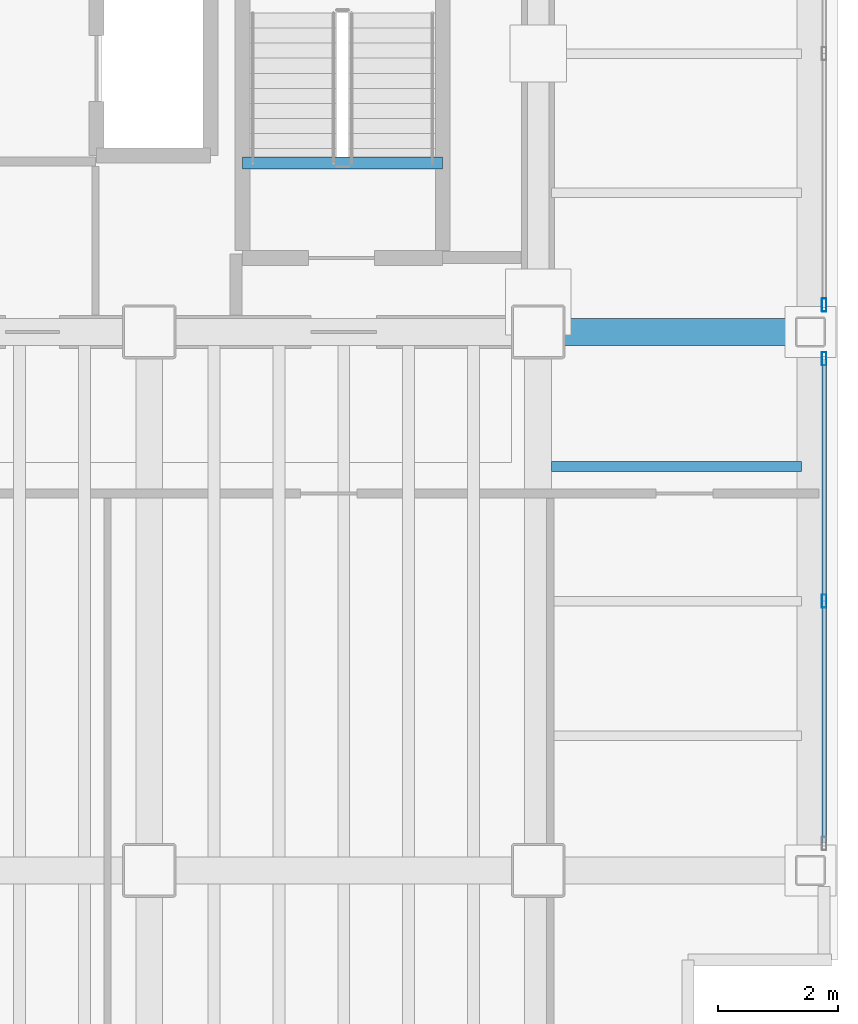
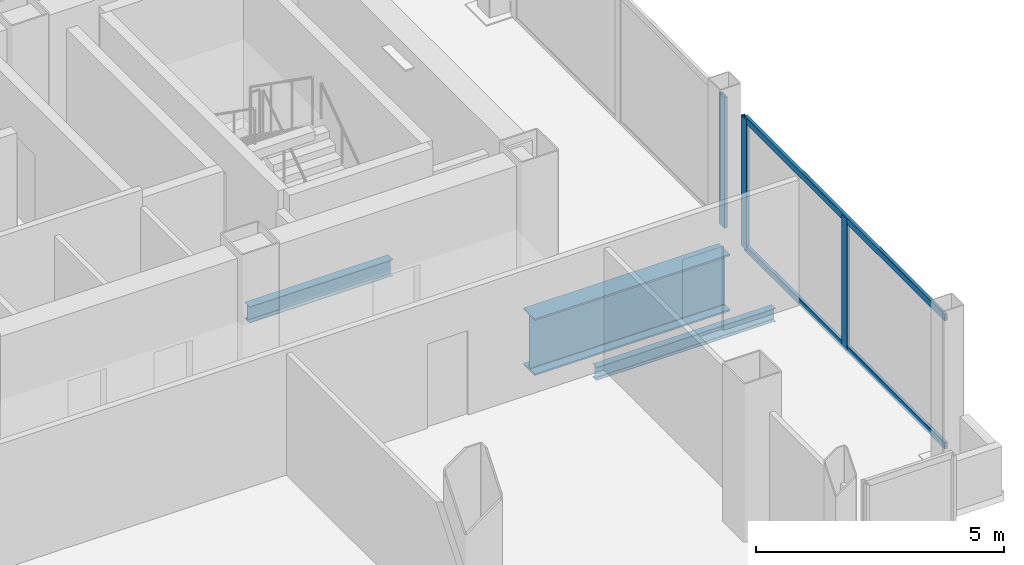
# One storey, part 16 of 24: 5 members, 3 beams, 2 elements without a shape of their own.
"""IFC4 building model written with IfcOpenShell, lengths in metres."""

import ifcopenshell
import ifcopenshell.guid

model = None  # the IFC model being written
_history = None  # IfcOwnerHistory: only IFC2X3 demands one
_inside = {}  # id of a spatial element -> (the spatial element, [elements in it])
_under = {}  # id of a project, library or spatial element -> (it, [spatial elements below it])
_declared = {}  # id of a project -> (the project, [libraries it declares])
_typed = {}  # id of a type object -> (the type object, [elements of that type])
_made_of = {}  # id of a material, layer set ... -> (it, [elements and type objects made of it])


def new_model(schema):
    """Start an empty IFC model of exactly this schema.

    Asked for "IFC4X3", IfcOpenShell would pick the latest addendum, in which some entities
    have other attributes; the version numbers below select the first issue.
    IFC2X3 requires an IfcOwnerHistory on every rooted entity: one is made here for all.
    """
    global model, _history
    if schema == "IFC4X3":
        model = ifcopenshell.file(schema_version=(4, 3, 0, 0))
    else:
        model = ifcopenshell.file(schema=schema)
    _inside.clear()
    _under.clear()
    _declared.clear()
    _typed.clear()
    _made_of.clear()
    _history = None
    if model.schema == "IFC2X3":
        org = make("IfcOrganization", Name="unknown")
        user = make(
            "IfcPersonAndOrganization",
            ThePerson=make("IfcPerson", FamilyName="unknown"),
            TheOrganization=org,
        )
        app = make(
            "IfcApplication",
            ApplicationDeveloper=org,
            Version="unknown",
            ApplicationFullName="unknown",
            ApplicationIdentifier="unknown",
        )
        _history = make(
            "IfcOwnerHistory",
            OwningUser=user,
            OwningApplication=app,
            ChangeAction="ADDED",
            CreationDate=0,
        )
    return model


def make(cls, **values):
    """One entity of the class cls with the attributes given. An attribute that is None is left unset."""
    return model.create_entity(
        cls, **{name: value for name, value in values.items() if value is not None}
    )


def rooted(cls, **values):
    """An entity with a GlobalId (a new one), such as an element, a storey or a relation."""
    return make(cls, GlobalId=ifcopenshell.guid.new(), OwnerHistory=_history, **values)


def si_unit(unit_type, name, prefix=None):
    """IfcSIUnit, for example si_unit("LENGTHUNIT", "METRE", prefix="MILLI")."""
    return make("IfcSIUnit", UnitType=unit_type, Prefix=prefix, Name=name)


def assignment(units):
    """IfcUnitAssignment: the units of a project."""
    return None if units is None else make("IfcUnitAssignment", Units=units)


def point(xyz):
    """IfcCartesianPoint."""
    return None if xyz is None else make("IfcCartesianPoint", Coordinates=xyz)


def direction(xyz):
    """IfcDirection."""
    return None if xyz is None else make("IfcDirection", DirectionRatios=xyz)


def frame(location, z_axis=None, x_axis=None):
    """IfcAxis2Placement3D, a coordinate frame: its origin and axes. An axis left out is left unset."""
    return make(
        "IfcAxis2Placement3D",
        Location=point(location),
        Axis=direction(z_axis),
        RefDirection=direction(x_axis),
    )


def frame_2d(location, x_axis=None):
    """IfcAxis2Placement2D, a coordinate frame in the plane: its origin and x axis."""
    return make(
        "IfcAxis2Placement2D", Location=point(location), RefDirection=direction(x_axis)
    )


def origin():
    """The frame at (0, 0, 0) with its axes left unset."""
    return frame((0.0, 0.0, 0.0))


def origin_2d():
    """The frame at (0, 0) in the plane with its x axis left unset."""
    return frame_2d((0.0, 0.0))


def place(relative_to, where):
    """IfcLocalPlacement: puts the frame where relative to a parent placement (None: the world)."""
    return make(
        "IfcLocalPlacement", PlacementRelTo=relative_to, RelativePlacement=where
    )


def context(
    kind, dimensions, precision=None, world=None, true_north=None, identifier=None
):
    """IfcGeometricRepresentationContext, for example the 3D "Model" context."""
    return make(
        "IfcGeometricRepresentationContext",
        ContextIdentifier=identifier,
        ContextType=kind,
        CoordinateSpaceDimension=dimensions,
        Precision=precision,
        WorldCoordinateSystem=world,
        TrueNorth=true_north,
    )


def subcontext(parent, identifier, kind, view, scale=None):
    """IfcGeometricRepresentationSubContext, for example "Body" below "Model"."""
    return make(
        "IfcGeometricRepresentationSubContext",
        ContextIdentifier=identifier,
        ContextType=kind,
        ParentContext=parent,
        TargetScale=scale,
        TargetView=view,
    )


def project(units=None, contexts=None):
    """IfcProject with its units and contexts."""
    return rooted(
        "IfcProject",
        Name="project",
        RepresentationContexts=contexts,
        UnitsInContext=assignment(units),
    )


def spatial(cls, under=None, at=None, **own):
    """A site, building, storey or space (cls), placed at a placement, below another one or the project."""
    s = rooted(cls, ObjectPlacement=at, **own)
    if under is not None:
        _under.setdefault(under.id(), (under, []))[1].append(s)
    return s


def profile(cls, at=None, kind="AREA", **sizes):
    """A parametric profile (cls). Its sizes go by their IFC names, for example OverallWidth=200.0."""
    return make(cls, ProfileType=kind, Position=at, **sizes)


def hollow_rectangle(**sizes):
    """IfcRectangleHollowProfileDef."""
    return profile("IfcRectangleHollowProfileDef", **sizes)


def i_section(**sizes):
    """IfcIShapeProfileDef."""
    return profile("IfcIShapeProfileDef", **sizes)


def extrude(swept, where, along, depth):
    """IfcExtrudedAreaSolid: the profile swept, set in the frame where, extruded along a direction by depth."""
    return make(
        "IfcExtrudedAreaSolid",
        SweptArea=swept,
        Position=where,
        ExtrudedDirection=direction(along),
        Depth=depth,
    )


def shape(context_of_items, identifier, shape_type, items):
    """IfcShapeRepresentation: the items that make up one representation, for example the "Body"."""
    return make(
        "IfcShapeRepresentation",
        ContextOfItems=context_of_items,
        RepresentationIdentifier=identifier,
        RepresentationType=shape_type,
        Items=items,
    )


def material(Name=None, Category=None):
    """IfcMaterial."""
    return make("IfcMaterial", Name=Name, Category=Category)


def material_profile(
    of_material, cross_section, Name=None, Category=None, Priority=None
):
    """IfcMaterialProfile: a cross section and its material."""
    return make(
        "IfcMaterialProfile",
        Name=Name,
        Material=of_material,
        Profile=cross_section,
        Priority=Priority,
        Category=Category,
    )


def profile_set(profiles, Name=None, composite=None):
    """IfcMaterialProfileSet."""
    return make(
        "IfcMaterialProfileSet",
        Name=Name,
        MaterialProfiles=profiles,
        CompositeProfile=composite,
    )


def made_of(thing, what):
    """Note that an element or type object is made of a material, layer set ...; save() writes the relation."""
    if what is not None:
        _made_of.setdefault(what.id(), (what, []))[1].append(thing)
    return thing


def type_object(cls, material=None, **own):
    """A type object (cls), such as IfcWallType, which elements share."""
    return made_of(rooted(cls, **own), material)


def element(
    cls,
    number,
    at=None,
    inside=None,
    cuts=None,
    type_object=None,
    material=None,
    context=None,
    identifier="Body",
    shape_type=None,
    held_by="IfcProductDefinitionShape",
    body=None,
    shapes=None,
    **own,
):
    """One element of the class cls, such as IfcWall. Its Tag is "e" and its number.

    at: its placement. inside: the storey or other place that contains it. cuts: it is an
    opening in that element (IfcRelVoidsElement). A single representation is given by context,
    identifier, shape_type and body (its items); several are given by shapes. held_by: the class
    of the entity that holds the representations. save() writes the other relations.
    """
    e = rooted(cls, Tag="e%d" % number, ObjectPlacement=at, **own)
    if body is not None:
        shapes = [shape(context, identifier, shape_type, body)]
    if shapes is not None:
        e.Representation = make(held_by, Representations=shapes)
    if inside is not None:
        _inside.setdefault(inside.id(), (inside, []))[1].append(e)
    if cuts is not None:
        rooted(
            "IfcRelVoidsElement", RelatingBuildingElement=cuts, RelatedOpeningElement=e
        )
    if type_object is not None:
        _typed.setdefault(type_object.id(), (type_object, []))[1].append(e)
    return made_of(e, material)


def aggregate(whole, parts):
    """IfcRelAggregates: a whole, such as a stair, and the parts it consists of."""
    return rooted("IfcRelAggregates", RelatingObject=whole, RelatedObjects=parts)


def save(model, path):
    """Write the relations noted so far, then the file.

    IfcRelAggregates (storeys below a building ...), IfcRelContainedInSpatialStructure (elements
    in a storey), IfcRelDefinesByType, IfcRelAssociatesMaterial and IfcRelDeclares: one each for
    every whole, place, type object, material and project.
    """
    for whole, parts in _under.values():
        aggregate(whole, parts)
    for where, things in _inside.values():
        rooted(
            "IfcRelContainedInSpatialStructure",
            RelatedElements=things,
            RelatingStructure=where,
        )
    for kind, things in _typed.values():
        rooted("IfcRelDefinesByType", RelatedObjects=things, RelatingType=kind)
    for what, things in _made_of.values():
        rooted("IfcRelAssociatesMaterial", RelatedObjects=things, RelatingMaterial=what)
    for by, libraries in _declared.values():
        rooted("IfcRelDeclares", RelatingContext=by, RelatedDefinitions=libraries)
    model.write(path)


model = new_model("IFC4")

# Units and contexts
model_context = context("Model", 3, precision=1e-05, world=origin(), true_north=direction((0.0, 1.0)))
body_context = subcontext(model_context, "Body", "Model", "MODEL_VIEW")
ifc_project = project(units=[si_unit("LENGTHUNIT", "METRE"), si_unit("AREAUNIT", "SQUARE_METRE"), si_unit("VOLUMEUNIT", "CUBIC_METRE"), si_unit("PLANEANGLEUNIT", "RADIAN"), si_unit("MASSUNIT", "GRAM", prefix="KILO")], contexts=[model_context])

# Site, building, storey
site_placement = place(None, origin())
site = spatial("IfcSite", under=ifc_project, at=site_placement, CompositionType="ELEMENT")
building_placement = place(site_placement, origin())
building = spatial("IfcBuilding", under=site, at=building_placement, Name="Noeulbin Bourse Tower", CompositionType="ELEMENT")
storey_placement = place(building_placement, frame((0.0, 0.0, 142.199951171875)))
storey = spatial("IfcBuildingStorey", under=building, at=storey_placement, Name="L35", CompositionType="ELEMENT", Elevation=142.199951171875)

# Beams
ifc_material_1 = material(Name="Steel S355", Category="steel")
ifc_material_profile_1 = material_profile(ifc_material_1, i_section(OverallWidth=0.159912109375, OverallDepth=0.320068359375, WebThickness=0.006591796875, FlangeThickness=0.010009765625, FilletRadius=0.012939453125, at=origin_2d()), Name="H-320x160x6.5x10", Category="LoadBearing")
ifc_profile_set_1 = profile_set([ifc_material_profile_1], Name="Steel S355")
beam_type_1 = type_object("IfcBeamType", Name="BM-JST-320", PredefinedType="JOIST", material=ifc_profile_set_1)
beam_1_placement = place(storey_placement, frame((44.22509765625, 26.75, -0.39990234375), z_axis=(1.0, 0.0, 0.0), x_axis=(0.0, 1.0, 0.0)))
element("IfcBeam", 1, at=beam_1_placement, inside=storey, type_object=beam_type_1, Name="Wing Composite Joist L35-E75", PredefinedType="JOIST", context=body_context, shape_type="SweptSolid", body=[
    extrude(i_section(OverallWidth=0.159912109375, OverallDepth=0.320068359375, WebThickness=0.006591796875, FlangeThickness=0.010009765625, FilletRadius=0.012939453125, at=origin_2d()), origin(), (0.0, 0.0, 1.0), 4.1748046875),
])
ifc_material_profile_2 = material_profile(ifc_material_1, i_section(OverallWidth=0.199951171875, OverallDepth=0.39990234375, WebThickness=0.008056640625, FlangeThickness=0.012939453125, FilletRadius=0.01611328125, at=origin_2d()), Name="H-400x200x8x13", Category="LoadBearing")
ifc_profile_set_2 = profile_set([ifc_material_profile_2], Name="Steel S355")
beam_type_2 = type_object("IfcBeamType", Name="BM-SEC-400", PredefinedType="BEAM", material=ifc_profile_set_2)
beam_2_placement = place(storey_placement, frame((39.06005859375, 31.820068359375, -0.199951171875), z_axis=(1.0, 0.0, 0.0), x_axis=(0.0, 1.0, 0.0)))
element("IfcBeam", 2, at=beam_2_placement, inside=storey, type_object=beam_type_2, Name="Stair Threshold Trimmer Beam ST2-L35", PredefinedType="BEAM", context=body_context, shape_type="SweptSolid", body=[
    extrude(i_section(OverallWidth=0.199951171875, OverallDepth=0.39990234375, WebThickness=0.008056640625, FlangeThickness=0.012939453125, FilletRadius=0.01611328125, at=origin_2d()), origin(), (0.0, 0.0, 1.0), 3.33984375),
])
ifc_material_2 = material(Name="Steel S460", Category="steel")
ifc_material_profile_3 = material_profile(ifc_material_2, i_section(OverallWidth=0.449951171875, OverallDepth=1.39990234375, WebThickness=0.02392578125, FlangeThickness=0.0400390625, FilletRadius=0.02392578125, at=origin_2d()), Name="PG-1400x450x24x40", Category="LoadBearing")
ifc_profile_set_3 = profile_set([ifc_material_profile_3], Name="Steel S460")
beam_type_3 = type_object("IfcBeamType", Name="BM-TRF-1400", PredefinedType="USERDEFINED", material=ifc_profile_set_3)
beam_3_placement = place(storey_placement, frame((44.0, 29.0, -0.93994140625), z_axis=(1.0, 0.0, 0.0), x_axis=(0.0, 1.0, 0.0)))
element("IfcBeam", 3, at=beam_3_placement, inside=storey, type_object=beam_type_3, Name="Tower Primary Girder EW L35-2.6", ObjectType="GIRDER", PredefinedType="USERDEFINED", context=body_context, shape_type="SweptSolid", body=[
    extrude(i_section(OverallWidth=0.449951171875, OverallDepth=1.39990234375, WebThickness=0.02392578125, FlangeThickness=0.0400390625, FilletRadius=0.02392578125, at=origin_2d()), origin(), (0.0, 0.0, 1.0), 4.550048828125),
])

# Curtain wall, members
ifc_material_3 = material(Name="Dark Tinted Triple Glazing", Category="glass")
curtain_wall_type = type_object("IfcCurtainWallType", Name="CW-SYS-3", PredefinedType="NOTDEFINED", material=ifc_material_3)
curtain_wall_1_placement = place(storey_placement, origin())
curtain_wall_1 = element("IfcCurtainWall", 4, at=curtain_wall_1_placement, inside=storey, type_object=curtain_wall_type, Name="Unitised Curtain Wall CW-L35-E-S1", PredefinedType="NOTDEFINED")
ifc_material_4 = material(Name="Anodised Aluminium 6063-T6", Category="aluminium")
ifc_material_profile_4 = material_profile(ifc_material_4, hollow_rectangle(XDim=0.074951171875, YDim=0.219970703125, WallThickness=0.0048828125, InnerFilletRadius=0.00244140625, OuterFilletRadius=0.0048828125, at=origin_2d()), Name="ALU-MULL-75x220x5", Category="LoadBearing")
ifc_profile_set_4 = profile_set([ifc_material_profile_4], Name="Anodised Aluminium 6063-T6")
member_type_1 = type_object("IfcMemberType", Name="CW-SYS-3-MUL", PredefinedType="MULLION", material=ifc_profile_set_4)
member_1_placement = place(storey_placement, frame((48.780029296875, 24.5, -0.02001953125), z_axis=(0.0, 0.0, 1.0), x_axis=(1.0, 0.0, 0.0)))
member_1 = element("IfcMember", 5, at=member_1_placement, type_object=member_type_1, Name="Curtain Wall Mullion CW-L35-E-S1-M01", PredefinedType="MULLION", context=body_context, shape_type="SweptSolid", body=[
    extrude(hollow_rectangle(XDim=0.074951171875, YDim=0.219970703125, WallThickness=0.0048828125, InnerFilletRadius=0.00244140625, OuterFilletRadius=0.0048828125, at=origin_2d()), origin(), (0.0, 0.0, 1.0), 3.219970703125),
])
member_2_placement = place(storey_placement, frame((48.780029296875, 28.550048828125, -0.02001953125), z_axis=(0.0, 0.0, 1.0), x_axis=(1.0, 0.0, 0.0)))
member_2 = element("IfcMember", 6, at=member_2_placement, type_object=member_type_1, Name="Curtain Wall Mullion CW-L35-E-S1-M02", PredefinedType="MULLION", context=body_context, shape_type="SweptSolid", body=[
    extrude(hollow_rectangle(XDim=0.074951171875, YDim=0.219970703125, WallThickness=0.0048828125, InnerFilletRadius=0.00244140625, OuterFilletRadius=0.0048828125, at=origin_2d()), origin(), (0.0, 0.0, 1.0), 3.219970703125),
])

# Curtain wall, member
curtain_wall_2_placement = place(storey_placement, origin())
curtain_wall_2 = element("IfcCurtainWall", 7, at=curtain_wall_2_placement, inside=storey, type_object=curtain_wall_type, Name="Unitised Curtain Wall CW-L35-E-S2", PredefinedType="NOTDEFINED")
member_3_placement = place(storey_placement, frame((48.780029296875, 29.449951171875, -0.02001953125), z_axis=(0.0, 0.0, 1.0), x_axis=(1.0, 0.0, 0.0)))
member_3 = element("IfcMember", 8, at=member_3_placement, type_object=member_type_1, Name="Curtain Wall Mullion CW-L35-E-S2-M00", PredefinedType="MULLION", context=body_context, shape_type="SweptSolid", body=[
    extrude(hollow_rectangle(XDim=0.074951171875, YDim=0.219970703125, WallThickness=0.0048828125, InnerFilletRadius=0.00244140625, OuterFilletRadius=0.0048828125, at=origin_2d()), origin(), (0.0, 0.0, 1.0), 3.219970703125),
])
aggregate(curtain_wall_2, [member_3])

# Member
ifc_material_profile_5 = material_profile(ifc_material_4, hollow_rectangle(XDim=0.074951171875, YDim=0.159912109375, WallThickness=0.0048828125, InnerFilletRadius=0.00244140625, OuterFilletRadius=0.0048828125, at=origin_2d()), Name="ALU-TRAN-75x160x5", Category="LoadBearing")
ifc_profile_set_5 = profile_set([ifc_material_profile_5], Name="Anodised Aluminium 6063-T6")
member_type_2 = type_object("IfcMemberType", Name="CW-SYS-3-TRN", PredefinedType="USERDEFINED", material=ifc_profile_set_5)
member_4_placement = place(storey_placement, frame((48.780029296875, 20.4599609375, 0.010009765625), z_axis=(0.0, 1.0, 0.0), x_axis=(-1.0, 0.0, 0.0)))
member_4 = element("IfcMember", 9, at=member_4_placement, type_object=member_type_2, Name="Curtain Wall Transom CW-L35-E-S1-T00", ObjectType="TRANSOM", PredefinedType="USERDEFINED", context=body_context, shape_type="SweptSolid", body=[
    extrude(hollow_rectangle(XDim=0.074951171875, YDim=0.159912109375, WallThickness=0.0048828125, InnerFilletRadius=0.00244140625, OuterFilletRadius=0.0048828125, at=origin_2d()), origin(), (0.0, 0.0, 1.0), 8.080078125),
])

member_5_placement = place(storey_placement, frame((48.780029296875, 20.4599609375, 3.170166015625), z_axis=(0.0, 1.0, 0.0), x_axis=(-1.0, 0.0, 0.0)))
member_5 = element("IfcMember", 10, at=member_5_placement, type_object=member_type_2, Name="Curtain Wall Transom CW-L35-E-S1-T01", ObjectType="TRANSOM", PredefinedType="USERDEFINED", context=body_context, shape_type="SweptSolid", body=[
    extrude(hollow_rectangle(XDim=0.074951171875, YDim=0.159912109375, WallThickness=0.0048828125, InnerFilletRadius=0.00244140625, OuterFilletRadius=0.0048828125, at=origin_2d()), origin(), (0.0, 0.0, 1.0), 8.080078125),
])

aggregate(curtain_wall_1, [member_1, member_2, member_4, member_5])

save(model, "model.ifc")
